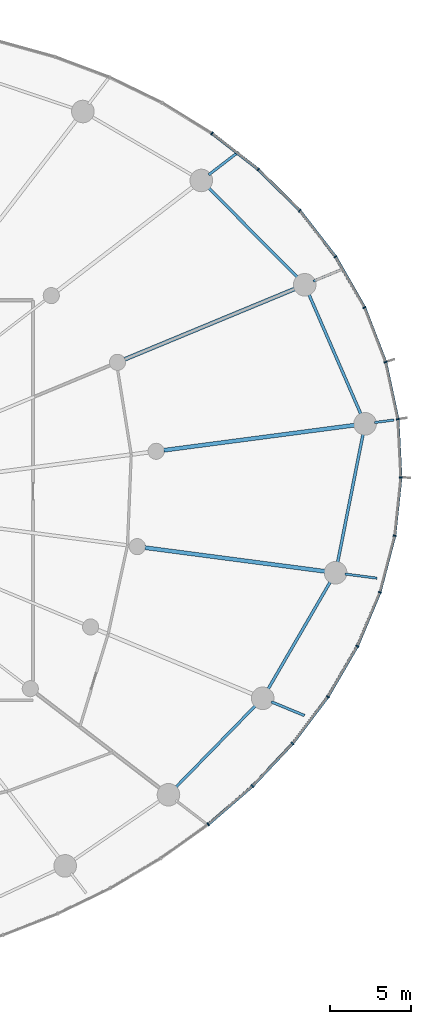
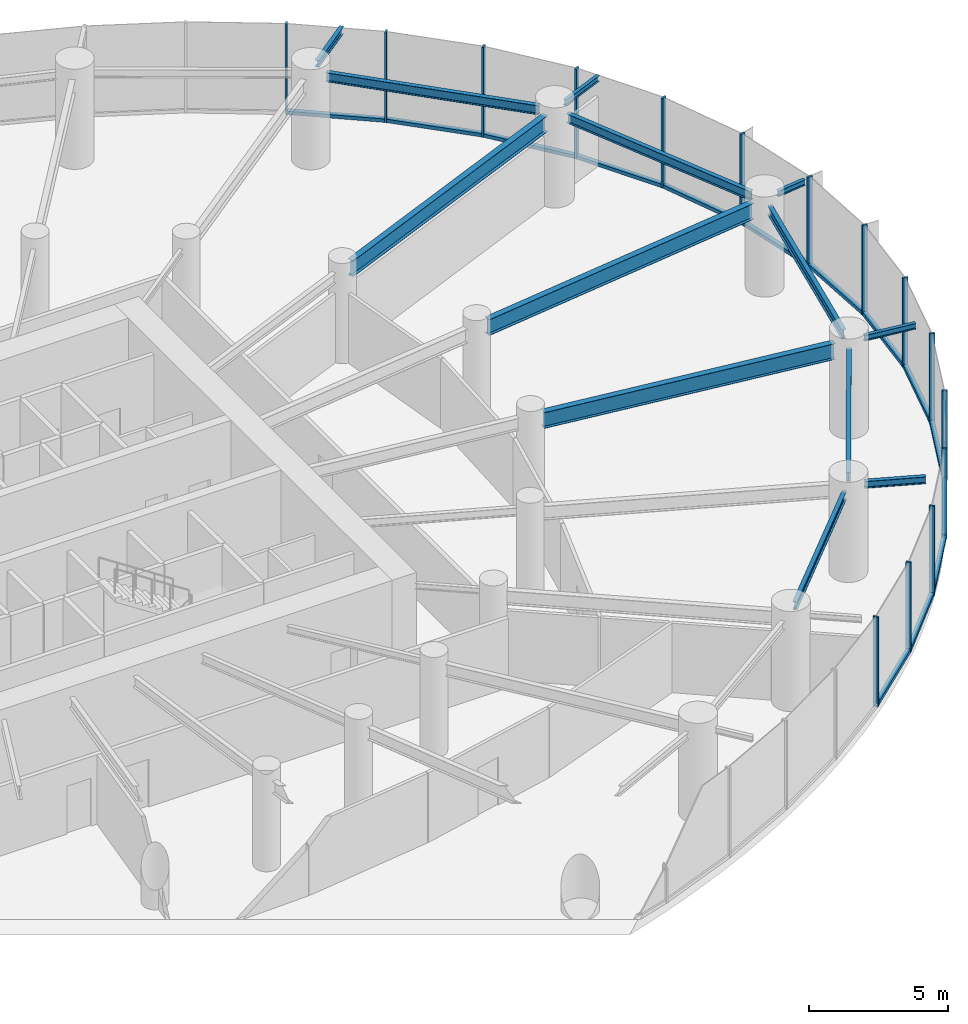
# One storey, part 8 of 18: 29 members, 13 beams, 4 elements without a shape of their own.
"""IFC4 building model written with IfcOpenShell, lengths in metres."""

import ifcopenshell
import ifcopenshell.guid

model = None  # the IFC model being written
_history = None  # IfcOwnerHistory: only IFC2X3 demands one
_inside = {}  # id of a spatial element -> (the spatial element, [elements in it])
_under = {}  # id of a project, library or spatial element -> (it, [spatial elements below it])
_declared = {}  # id of a project -> (the project, [libraries it declares])
_typed = {}  # id of a type object -> (the type object, [elements of that type])
_made_of = {}  # id of a material, layer set ... -> (it, [elements and type objects made of it])


def new_model(schema):
    """Start an empty IFC model of exactly this schema.

    Asked for "IFC4X3", IfcOpenShell would pick the latest addendum, in which some entities
    have other attributes; the version numbers below select the first issue.
    IFC2X3 requires an IfcOwnerHistory on every rooted entity: one is made here for all.
    """
    global model, _history
    if schema == "IFC4X3":
        model = ifcopenshell.file(schema_version=(4, 3, 0, 0))
    else:
        model = ifcopenshell.file(schema=schema)
    _inside.clear()
    _under.clear()
    _declared.clear()
    _typed.clear()
    _made_of.clear()
    _history = None
    if model.schema == "IFC2X3":
        org = make("IfcOrganization", Name="unknown")
        user = make(
            "IfcPersonAndOrganization",
            ThePerson=make("IfcPerson", FamilyName="unknown"),
            TheOrganization=org,
        )
        app = make(
            "IfcApplication",
            ApplicationDeveloper=org,
            Version="unknown",
            ApplicationFullName="unknown",
            ApplicationIdentifier="unknown",
        )
        _history = make(
            "IfcOwnerHistory",
            OwningUser=user,
            OwningApplication=app,
            ChangeAction="ADDED",
            CreationDate=0,
        )
    return model


def make(cls, **values):
    """One entity of the class cls with the attributes given. An attribute that is None is left unset."""
    return model.create_entity(
        cls, **{name: value for name, value in values.items() if value is not None}
    )


def rooted(cls, **values):
    """An entity with a GlobalId (a new one), such as an element, a storey or a relation."""
    return make(cls, GlobalId=ifcopenshell.guid.new(), OwnerHistory=_history, **values)


def si_unit(unit_type, name, prefix=None):
    """IfcSIUnit, for example si_unit("LENGTHUNIT", "METRE", prefix="MILLI")."""
    return make("IfcSIUnit", UnitType=unit_type, Prefix=prefix, Name=name)


def assignment(units):
    """IfcUnitAssignment: the units of a project."""
    return None if units is None else make("IfcUnitAssignment", Units=units)


def point(xyz):
    """IfcCartesianPoint."""
    return None if xyz is None else make("IfcCartesianPoint", Coordinates=xyz)


def direction(xyz):
    """IfcDirection."""
    return None if xyz is None else make("IfcDirection", DirectionRatios=xyz)


def frame(location, z_axis=None, x_axis=None):
    """IfcAxis2Placement3D, a coordinate frame: its origin and axes. An axis left out is left unset."""
    return make(
        "IfcAxis2Placement3D",
        Location=point(location),
        Axis=direction(z_axis),
        RefDirection=direction(x_axis),
    )


def frame_2d(location, x_axis=None):
    """IfcAxis2Placement2D, a coordinate frame in the plane: its origin and x axis."""
    return make(
        "IfcAxis2Placement2D", Location=point(location), RefDirection=direction(x_axis)
    )


def origin():
    """The frame at (0, 0, 0) with its axes left unset."""
    return frame((0.0, 0.0, 0.0))


def origin_2d():
    """The frame at (0, 0) in the plane with its x axis left unset."""
    return frame_2d((0.0, 0.0))


def place(relative_to, where):
    """IfcLocalPlacement: puts the frame where relative to a parent placement (None: the world)."""
    return make(
        "IfcLocalPlacement", PlacementRelTo=relative_to, RelativePlacement=where
    )


def context(
    kind, dimensions, precision=None, world=None, true_north=None, identifier=None
):
    """IfcGeometricRepresentationContext, for example the 3D "Model" context."""
    return make(
        "IfcGeometricRepresentationContext",
        ContextIdentifier=identifier,
        ContextType=kind,
        CoordinateSpaceDimension=dimensions,
        Precision=precision,
        WorldCoordinateSystem=world,
        TrueNorth=true_north,
    )


def subcontext(parent, identifier, kind, view, scale=None):
    """IfcGeometricRepresentationSubContext, for example "Body" below "Model"."""
    return make(
        "IfcGeometricRepresentationSubContext",
        ContextIdentifier=identifier,
        ContextType=kind,
        ParentContext=parent,
        TargetScale=scale,
        TargetView=view,
    )


def project(units=None, contexts=None):
    """IfcProject with its units and contexts."""
    return rooted(
        "IfcProject",
        Name="project",
        RepresentationContexts=contexts,
        UnitsInContext=assignment(units),
    )


def spatial(cls, under=None, at=None, **own):
    """A site, building, storey or space (cls), placed at a placement, below another one or the project."""
    s = rooted(cls, ObjectPlacement=at, **own)
    if under is not None:
        _under.setdefault(under.id(), (under, []))[1].append(s)
    return s


def profile(cls, at=None, kind="AREA", **sizes):
    """A parametric profile (cls). Its sizes go by their IFC names, for example OverallWidth=200.0."""
    return make(cls, ProfileType=kind, Position=at, **sizes)


def rectangle(**sizes):
    """IfcRectangleProfileDef."""
    return profile("IfcRectangleProfileDef", **sizes)


def i_section(**sizes):
    """IfcIShapeProfileDef."""
    return profile("IfcIShapeProfileDef", **sizes)


def extrude(swept, where, along, depth):
    """IfcExtrudedAreaSolid: the profile swept, set in the frame where, extruded along a direction by depth."""
    return make(
        "IfcExtrudedAreaSolid",
        SweptArea=swept,
        Position=where,
        ExtrudedDirection=direction(along),
        Depth=depth,
    )


def shape(context_of_items, identifier, shape_type, items):
    """IfcShapeRepresentation: the items that make up one representation, for example the "Body"."""
    return make(
        "IfcShapeRepresentation",
        ContextOfItems=context_of_items,
        RepresentationIdentifier=identifier,
        RepresentationType=shape_type,
        Items=items,
    )


def source(mapping_origin, context_of_items, identifier, shape_type, items):
    """IfcRepresentationMap: a shape defined once, which mapped items show again and again."""
    return make(
        "IfcRepresentationMap",
        MappingOrigin=mapping_origin,
        MappedRepresentation=shape(context_of_items, identifier, shape_type, items),
    )


def transform(
    local_origin,
    x_axis=None,
    y_axis=None,
    z_axis=None,
    scale=None,
    scale2=None,
    scale3=None,
    uniform=True,
):
    """IfcCartesianTransformationOperator3D, or its non-uniform kind. x_axis, y_axis, z_axis: its Axis1, 2, 3."""
    if uniform:
        return make(
            "IfcCartesianTransformationOperator3D",
            Axis1=direction(x_axis),
            Axis2=direction(y_axis),
            LocalOrigin=point(local_origin),
            Scale=scale,
            Axis3=direction(z_axis),
        )
    return make(
        "IfcCartesianTransformationOperator3DnonUniform",
        Axis1=direction(x_axis),
        Axis2=direction(y_axis),
        LocalOrigin=point(local_origin),
        Scale=scale,
        Axis3=direction(z_axis),
        Scale2=scale2,
        Scale3=scale3,
    )


def mapped(mapping_source, mapping_target):
    """IfcMappedItem: shows the shape of a source again, moved by a transform."""
    return make(
        "IfcMappedItem", MappingSource=mapping_source, MappingTarget=mapping_target
    )


def material(Name=None, Category=None):
    """IfcMaterial."""
    return make("IfcMaterial", Name=Name, Category=Category)


def layer(
    of_material, thickness, ventilated=None, Name=None, Category=None, Priority=None
):
    """IfcMaterialLayer: one layer of a wall or slab, of a material (None: an air gap)."""
    return make(
        "IfcMaterialLayer",
        Material=of_material,
        LayerThickness=thickness,
        IsVentilated=ventilated,
        Name=Name,
        Category=Category,
        Priority=Priority,
    )


def layer_set(layers, Name=None):
    """IfcMaterialLayerSet."""
    return make("IfcMaterialLayerSet", MaterialLayers=layers, LayerSetName=Name)


def material_profile(
    of_material, cross_section, Name=None, Category=None, Priority=None
):
    """IfcMaterialProfile: a cross section and its material."""
    return make(
        "IfcMaterialProfile",
        Name=Name,
        Material=of_material,
        Profile=cross_section,
        Priority=Priority,
        Category=Category,
    )


def profile_set(profiles, Name=None, composite=None):
    """IfcMaterialProfileSet."""
    return make(
        "IfcMaterialProfileSet",
        Name=Name,
        MaterialProfiles=profiles,
        CompositeProfile=composite,
    )


def made_of(thing, what):
    """Note that an element or type object is made of a material, layer set ...; save() writes the relation."""
    if what is not None:
        _made_of.setdefault(what.id(), (what, []))[1].append(thing)
    return thing


def type_object(cls, material=None, **own):
    """A type object (cls), such as IfcWallType, which elements share."""
    return made_of(rooted(cls, **own), material)


def element(
    cls,
    number,
    at=None,
    inside=None,
    cuts=None,
    type_object=None,
    material=None,
    context=None,
    identifier="Body",
    shape_type=None,
    held_by="IfcProductDefinitionShape",
    body=None,
    shapes=None,
    **own,
):
    """One element of the class cls, such as IfcWall. Its Tag is "e" and its number.

    at: its placement. inside: the storey or other place that contains it. cuts: it is an
    opening in that element (IfcRelVoidsElement). A single representation is given by context,
    identifier, shape_type and body (its items); several are given by shapes. held_by: the class
    of the entity that holds the representations. save() writes the other relations.
    """
    e = rooted(cls, Tag="e%d" % number, ObjectPlacement=at, **own)
    if body is not None:
        shapes = [shape(context, identifier, shape_type, body)]
    if shapes is not None:
        e.Representation = make(held_by, Representations=shapes)
    if inside is not None:
        _inside.setdefault(inside.id(), (inside, []))[1].append(e)
    if cuts is not None:
        rooted(
            "IfcRelVoidsElement", RelatingBuildingElement=cuts, RelatedOpeningElement=e
        )
    if type_object is not None:
        _typed.setdefault(type_object.id(), (type_object, []))[1].append(e)
    return made_of(e, material)


def aggregate(whole, parts):
    """IfcRelAggregates: a whole, such as a stair, and the parts it consists of."""
    return rooted("IfcRelAggregates", RelatingObject=whole, RelatedObjects=parts)


def save(model, path):
    """Write the relations noted so far, then the file.

    IfcRelAggregates (storeys below a building ...), IfcRelContainedInSpatialStructure (elements
    in a storey), IfcRelDefinesByType, IfcRelAssociatesMaterial and IfcRelDeclares: one each for
    every whole, place, type object, material and project.
    """
    for whole, parts in _under.values():
        aggregate(whole, parts)
    for where, things in _inside.values():
        rooted(
            "IfcRelContainedInSpatialStructure",
            RelatedElements=things,
            RelatingStructure=where,
        )
    for kind, things in _typed.values():
        rooted("IfcRelDefinesByType", RelatedObjects=things, RelatingType=kind)
    for what, things in _made_of.values():
        rooted("IfcRelAssociatesMaterial", RelatedObjects=things, RelatingMaterial=what)
    for by, libraries in _declared.values():
        rooted("IfcRelDeclares", RelatingContext=by, RelatedDefinitions=libraries)
    model.write(path)


model = new_model("IFC4")

# Units and contexts
model_context = context("Model", 3, precision=1e-05, world=origin(), true_north=direction((0.0, 1.0)))
body_context = subcontext(model_context, "Body", "Model", "MODEL_VIEW")
ifc_project = project(units=[si_unit("LENGTHUNIT", "METRE"), si_unit("AREAUNIT", "SQUARE_METRE"), si_unit("VOLUMEUNIT", "CUBIC_METRE"), si_unit("PLANEANGLEUNIT", "RADIAN"), si_unit("MASSUNIT", "GRAM", prefix="KILO")], contexts=[model_context])

# Site, building, storey
site_placement = place(None, origin())
site = spatial("IfcSite", under=ifc_project, at=site_placement, CompositionType="ELEMENT")
building_placement = place(site_placement, origin())
building = spatial("IfcBuilding", under=site, at=building_placement, Name="Spindrift Exchange Tower", CompositionType="ELEMENT")
storey_placement = place(building_placement, frame((0.0, 0.0, 40.199951171875)))
storey = spatial("IfcBuildingStorey", under=building, at=storey_placement, Name="L09", CompositionType="ELEMENT", Elevation=40.199951171875)

# Beams
ifc_material_1 = material(Name="Steel Grade 300", Category="steel")
ifc_material_profile_1 = material_profile(ifc_material_1, i_section(OverallWidth=0.25, OverallDepth=0.699951171875, WebThickness=0.008056640625, FlangeThickness=0.011962890625, at=origin_2d()), Name="700WB115")
ifc_profile_set_1 = profile_set([ifc_material_profile_1], Name="Steel Grade 300")
beam_type_1 = type_object("IfcBeamType", Name="Floor Beam 700WB115 Steel Grade 300", PredefinedType="BEAM", material=ifc_profile_set_1)
shared_shape_1 = source(origin(), body_context, "Body", "SweptSolid", [
    extrude(i_section(OverallWidth=0.25, OverallDepth=0.699951171875, WebThickness=0.008056640625, FlangeThickness=0.011962890625, at=origin_2d()), origin(), (0.0, 0.0, 1.0), 12.00830078125),
])
beam_1_placement = place(storey_placement, frame((75.509765625, 51.09521484375, 3.60009765625), z_axis=(0.991444950947, 0.130525511844, 0.0), x_axis=(-0.130525511844, 0.991444950947, 0.0)))
element("IfcBeam", 1, at=beam_1_placement, inside=storey, type_object=beam_type_1, Name="L09 radial beam R01B", PredefinedType="BEAM", context=body_context, shape_type="MappedRepresentation", body=[
    mapped(shared_shape_1, transform((0.0, 0.0, 0.0), scale=1.0)),
])
shared_shape_2 = source(origin(), body_context, "Body", "SweptSolid", [
    extrude(i_section(OverallWidth=0.25, OverallDepth=0.699951171875, WebThickness=0.008056640625, FlangeThickness=0.011962890625, at=origin_2d()), origin(), (0.0, 0.0, 1.0), 11.505859375),
])
beam_2_placement = place(storey_placement, frame((73.082763671875, 56.73291015625, 3.60009765625), z_axis=(0.923881578419, 0.38267849307, 0.0), x_axis=(-0.38267849307, 0.923881578419, 0.0)))
element("IfcBeam", 2, at=beam_2_placement, inside=storey, type_object=beam_type_1, Name="L09 radial beam R02B", PredefinedType="BEAM", context=body_context, shape_type="MappedRepresentation", body=[
    mapped(shared_shape_2, transform((0.0, 0.0, 0.0), scale=1.0)),
])
shared_shape_3 = source(origin(), body_context, "Body", "SweptSolid", [
    extrude(i_section(OverallWidth=0.25, OverallDepth=0.699951171875, WebThickness=0.008056640625, FlangeThickness=0.011962890625, at=origin_2d()), origin(), (0.0, 0.0, 1.0), 11.34423828125),
])
beam_3_placement = place(storey_placement, frame((74.339111328125, 45.05908203125, 3.60009765625), z_axis=(0.991444770187, -0.130526884848, 0.0), x_axis=(0.130526884848, 0.991444770187, 0.0)))
element("IfcBeam", 3, at=beam_3_placement, inside=storey, type_object=beam_type_1, Name="L09 radial beam R24B", PredefinedType="BEAM", context=body_context, shape_type="MappedRepresentation", body=[
    mapped(shared_shape_3, transform((0.0, 0.0, 0.0), scale=1.0)),
])
ifc_material_profile_2 = material_profile(ifc_material_1, i_section(OverallWidth=0.177978515625, OverallDepth=0.406005859375, WebThickness=0.0078125, FlangeThickness=0.0126953125, FilletRadius=0.013916015625, at=origin_2d()), Name="410UB59.7")
ifc_profile_set_2 = profile_set([ifc_material_profile_2], Name="Steel Grade 300")
beam_type_2 = type_object("IfcBeamType", Name="Edge Beam 410UB59.7 Steel Grade 300", PredefinedType="SPANDREL", material=ifc_profile_set_2)
shared_shape_4 = source(origin(), body_context, "Body", "SweptSolid", [
    extrude(i_section(OverallWidth=0.177978515625, OverallDepth=0.406005859375, WebThickness=0.0078125, FlangeThickness=0.0126953125, FilletRadius=0.013916015625, at=origin_2d()), origin(), (0.0, 0.0, 1.0), 8.23681640625),
])
beam_4_placement = place(storey_placement, frame((87.759521484375, 53.270263671875, 3.7470703125), z_axis=(-0.398186298756, 0.91730456855, 0.0), x_axis=(-0.91730456855, -0.398186298756, 0.0)))
element("IfcBeam", 4, at=beam_4_placement, inside=storey, type_object=beam_type_2, Name="L09 edge beam E01", PredefinedType="SPANDREL", context=body_context, shape_type="MappedRepresentation", body=[
    mapped(shared_shape_4, transform((0.0, 0.0, 0.0), scale=1.0)),
])
shared_shape_5 = source(origin(), body_context, "Body", "SweptSolid", [
    extrude(i_section(OverallWidth=0.177978515625, OverallDepth=0.406005859375, WebThickness=0.0078125, FlangeThickness=0.0126953125, FilletRadius=0.013916015625, at=origin_2d()), origin(), (0.0, 0.0, 1.0), 7.947509765625),
])
beam_5_placement = place(storey_placement, frame((83.840576171875, 61.769775390625, 3.7470703125), z_axis=(-0.704197895271, 0.710003749494, 0.0), x_axis=(-0.710003749494, -0.704197895271, 0.0)))
element("IfcBeam", 5, at=beam_5_placement, inside=storey, type_object=beam_type_2, Name="L09 edge beam E02", PredefinedType="SPANDREL", context=body_context, shape_type="MappedRepresentation", body=[
    mapped(shared_shape_5, transform((0.0, 0.0, 0.0), scale=1.0)),
])
ifc_material_profile_3 = material_profile(ifc_material_1, i_section(OverallWidth=0.172119140625, OverallDepth=0.35888671875, WebThickness=0.008056640625, FlangeThickness=0.012939453125, FilletRadius=0.013916015625, at=origin_2d()), Name="360UB56.7")
ifc_profile_set_3 = profile_set([ifc_material_profile_3], Name="Steel Grade 300")
beam_type_3 = type_object("IfcBeamType", Name="Edge Beam 360UB56.7 Steel Grade 300", PredefinedType="SPANDREL", material=ifc_profile_set_3)
shared_shape_6 = source(origin(), body_context, "Body", "SweptSolid", [
    extrude(i_section(OverallWidth=0.172119140625, OverallDepth=0.35888671875, WebThickness=0.008056640625, FlangeThickness=0.012939453125, FilletRadius=0.013916015625, at=origin_2d()), origin(), (0.0, 0.0, 1.0), 7.2041015625),
])
beam_6_placement = place(storey_placement, frame((76.205810546875, 30.152099609375, 3.7705078125), z_axis=(0.698703626006, 0.715411240481, 0.0), x_axis=(-0.715411240481, 0.698703626006, 0.0)))
element("IfcBeam", 6, at=beam_6_placement, inside=storey, type_object=beam_type_3, Name="L09 edge beam E22", PredefinedType="SPANDREL", context=body_context, shape_type="MappedRepresentation", body=[
    mapped(shared_shape_6, transform((0.0, 0.0, 0.0), scale=1.0)),
])
shared_shape_7 = source(origin(), body_context, "Body", "SweptSolid", [
    extrude(i_section(OverallWidth=0.177978515625, OverallDepth=0.406005859375, WebThickness=0.0078125, FlangeThickness=0.0126953125, FilletRadius=0.013916015625, at=origin_2d()), origin(), (0.0, 0.0, 1.0), 7.837646484375),
])
beam_7_placement = place(storey_placement, frame((81.935791015625, 36.222412109375, 3.7470703125), z_axis=(0.50198145655, 0.864878382942, 0.0), x_axis=(-0.864878382942, 0.50198145655, 0.0)))
element("IfcBeam", 7, at=beam_7_placement, inside=storey, type_object=beam_type_2, Name="L09 edge beam E23", PredefinedType="SPANDREL", context=body_context, shape_type="MappedRepresentation", body=[
    mapped(shared_shape_7, transform((0.0, 0.0, 0.0), scale=1.0)),
])
shared_shape_8 = source(origin(), body_context, "Body", "SweptSolid", [
    extrude(i_section(OverallWidth=0.177978515625, OverallDepth=0.406005859375, WebThickness=0.0078125, FlangeThickness=0.0126953125, FilletRadius=0.013916015625, at=origin_2d()), origin(), (0.0, 0.0, 1.0), 8.2548828125),
])
beam_8_placement = place(storey_placement, frame((86.27392578125, 44.071533203125, 3.7470703125), z_axis=(0.194278723288, 0.9809463684, 0.0), x_axis=(-0.9809463684, 0.194278723288, 0.0)))
element("IfcBeam", 8, at=beam_8_placement, inside=storey, type_object=beam_type_2, Name="L09 edge beam E24", PredefinedType="SPANDREL", context=body_context, shape_type="MappedRepresentation", body=[
    mapped(shared_shape_8, transform((0.0, 0.0, 0.0), scale=1.0)),
])
ifc_material_profile_4 = material_profile(ifc_material_1, i_section(OverallWidth=0.14599609375, OverallDepth=0.251953125, WebThickness=0.006103515625, FlangeThickness=0.008544921875, FilletRadius=0.011962890625, at=origin_2d()), Name="250UB31.4")
ifc_profile_set_4 = profile_set([ifc_material_profile_4], Name="Steel Grade 300")
beam_type_4 = type_object("IfcBeamType", Name="Cantilever Beam 250UB31.4 Steel Grade 300", PredefinedType="BEAM", material=ifc_profile_set_4)
shared_shape_9 = source(origin(), body_context, "Body", "SweptSolid", [
    extrude(i_section(OverallWidth=0.14599609375, OverallDepth=0.251953125, WebThickness=0.006103515625, FlangeThickness=0.008544921875, FilletRadius=0.011962890625, at=origin_2d()), origin(), (0.0, 0.0, 1.0), 1.224365234375),
])
beam_9_placement = place(storey_placement, frame((88.5654296875, 52.81396484375, 3.823974609375), z_axis=(0.991459724463, 0.130413246138, 0.0), x_axis=(-0.130413246138, 0.991459724463, 0.0)))
element("IfcBeam", 9, at=beam_9_placement, inside=storey, type_object=beam_type_4, Name="L09 cantilever beam R01T", PredefinedType="BEAM", context=body_context, shape_type="MappedRepresentation", body=[
    mapped(shared_shape_9, transform((0.0, 0.0, 0.0), scale=1.0)),
])
shared_shape_10 = source(origin(), body_context, "Body", "SweptSolid", [
    extrude(i_section(OverallWidth=0.14599609375, OverallDepth=0.251953125, WebThickness=0.006103515625, FlangeThickness=0.008544921875, FilletRadius=0.011962890625, at=origin_2d()), origin(), (0.0, 0.0, 1.0), 1.96728515625),
])
beam_10_placement = place(storey_placement, frame((84.78466796875, 61.579833984375, 3.823974609375), z_axis=(0.923871633856, 0.382702500848, 0.0), x_axis=(-0.382702500848, 0.923871633856, 0.0)))
element("IfcBeam", 10, at=beam_10_placement, inside=storey, type_object=beam_type_4, Name="L09 cantilever beam R02T", PredefinedType="BEAM", context=body_context, shape_type="MappedRepresentation", body=[
    mapped(shared_shape_10, transform((0.0, 0.0, 0.0), scale=1.0)),
])
ifc_material_profile_5 = material_profile(ifc_material_1, i_section(OverallWidth=0.1650390625, OverallDepth=0.303955078125, WebThickness=0.006103515625, FlangeThickness=0.01025390625, FilletRadius=0.011474609375, at=origin_2d()), Name="310UB40.4")
ifc_profile_set_5 = profile_set([ifc_material_profile_5], Name="Steel Grade 300")
beam_type_5 = type_object("IfcBeamType", Name="Cantilever Beam 310UB40.4 Steel Grade 300", PredefinedType="BEAM", material=ifc_profile_set_5)
shared_shape_11 = source(origin(), body_context, "Body", "SweptSolid", [
    extrude(i_section(OverallWidth=0.1650390625, OverallDepth=0.303955078125, WebThickness=0.006103515625, FlangeThickness=0.01025390625, FilletRadius=0.011474609375, at=origin_2d()), origin(), (0.0, 0.0, 1.0), 2.33251953125),
])
beam_11_placement = place(storey_placement, frame((78.295654296875, 68.177490234375, 3.798095703125), z_axis=(0.793370454613, 0.608739124542, 0.0), x_axis=(-0.608739124542, 0.793370454613, 0.0)))
element("IfcBeam", 11, at=beam_11_placement, inside=storey, type_object=beam_type_5, Name="L09 cantilever beam R03T", PredefinedType="BEAM", context=body_context, shape_type="MappedRepresentation", body=[
    mapped(shared_shape_11, transform((0.0, 0.0, 0.0), scale=1.0)),
])
shared_shape_12 = source(origin(), body_context, "Body", "SweptSolid", [
    extrude(i_section(OverallWidth=0.1650390625, OverallDepth=0.303955078125, WebThickness=0.006103515625, FlangeThickness=0.01025390625, FilletRadius=0.011474609375, at=origin_2d()), origin(), (0.0, 0.0, 1.0), 2.22412109375),
])
beam_12_placement = place(storey_placement, frame((82.180419921875, 35.498779296875, 3.798095703125), z_axis=(0.923896434598, -0.38264262457, 0.0), x_axis=(0.38264262457, 0.923896434598, 0.0)))
element("IfcBeam", 12, at=beam_12_placement, inside=storey, type_object=beam_type_5, Name="L09 cantilever beam R23T", PredefinedType="BEAM", context=body_context, shape_type="MappedRepresentation", body=[
    mapped(shared_shape_12, transform((0.0, 0.0, 0.0), scale=1.0)),
])
shared_shape_13 = source(origin(), body_context, "Body", "SweptSolid", [
    extrude(i_section(OverallWidth=0.14599609375, OverallDepth=0.251953125, WebThickness=0.006103515625, FlangeThickness=0.008544921875, FilletRadius=0.011962890625, at=origin_2d()), origin(), (0.0, 0.0, 1.0), 2.016845703125),
])
beam_13_placement = place(storey_placement, frame((86.736083984375, 43.427001953125, 3.823974609375), z_axis=(0.991448526078, -0.130498353005, 0.0), x_axis=(0.130498353005, 0.991448526078, 0.0)))
element("IfcBeam", 13, at=beam_13_placement, inside=storey, type_object=beam_type_4, Name="L09 cantilever beam R24T", PredefinedType="BEAM", context=body_context, shape_type="MappedRepresentation", body=[
    mapped(shared_shape_13, transform((0.0, 0.0, 0.0), scale=1.0)),
])

# Curtain wall, members
ifc_material_2 = material(Name="Fritted laminated glass with bronze frame", Category="glass")
ifc_layer = layer(ifc_material_2, 0.199951171875)
ifc_layer_set = layer_set([ifc_layer], Name="ZONE 1 BRONZE FRITTED WALL")
curtain_wall_type = type_object("IfcCurtainWallType", Name="ZONE 1 BRONZE FRITTED WALL", PredefinedType="NOTDEFINED", material=ifc_layer_set)
curtain_wall_1_placement = place(storey_placement, origin())
curtain_wall_1 = element("IfcCurtainWall", 14, at=curtain_wall_1_placement, inside=storey, type_object=curtain_wall_type, Name="L09 Zone 1 Bronze Fritted Wall run 1", PredefinedType="NOTDEFINED")
ifc_material_3 = material(Name="Bronze anodised aluminium", Category="aluminium")
ifc_material_profile_6 = material_profile(ifc_material_3, rectangle(XDim=0.080078125, YDim=0.199951171875, at=origin_2d()), Name="ZONE 1 BRONZE FRITTED WALL MULLION 80X200")
ifc_profile_set_6 = profile_set([ifc_material_profile_6], Name="Bronze anodised aluminium")
member_type_1 = type_object("IfcMemberType", Name="ZONE 1 BRONZE FRITTED WALL MULLION 80X200", PredefinedType="MULLION", material=ifc_profile_set_6)
shared_shape_14 = source(origin(), body_context, "Body", "SweptSolid", [
    extrude(rectangle(XDim=0.080078125, YDim=0.199951171875, at=origin_2d()), origin(), (0.0, 0.0, 1.0), 3.949951171875),
])
member_1_placement = place(storey_placement, frame((90.019775390625, 53.021484375, 0.0), z_axis=(0.0, 0.0, 1.0), x_axis=(-0.1309470397, 0.991389364878, 0.0)))
member_1 = element("IfcMember", 15, at=member_1_placement, type_object=member_type_1, Name="L09 mullion CW-1.1", PredefinedType="MULLION", context=body_context, shape_type="MappedRepresentation", body=[
    mapped(shared_shape_14, transform((0.0, 0.0, 0.0), scale=1.0)),
])
member_2_placement = place(storey_placement, frame((89.260498046875, 56.565673828125, 0.0), z_axis=(0.0, 0.0, 1.0), x_axis=(-0.285567534587, 0.958358587998, 0.0)))
member_2 = element("IfcMember", 16, at=member_2_placement, type_object=member_type_1, Name="L09 mullion CW-1.2", PredefinedType="MULLION", context=body_context, shape_type="MappedRepresentation", body=[
    mapped(shared_shape_14, transform((0.0, 0.0, 0.0), scale=1.0)),
])
member_3_placement = place(storey_placement, frame((87.9560546875, 59.947265625, 0.0), z_axis=(0.0, 0.0, 1.0), x_axis=(-0.428956948446, 0.903324933997, 0.0)))
member_3 = element("IfcMember", 17, at=member_3_placement, type_object=member_type_1, Name="L09 mullion CW-1.3", PredefinedType="MULLION", context=body_context, shape_type="MappedRepresentation", body=[
    mapped(shared_shape_14, transform((0.0, 0.0, 0.0), scale=1.0)),
])
member_4_placement = place(storey_placement, frame((86.159423828125, 63.095703125, 0.0), z_axis=(0.0, 0.0, 1.0), x_axis=(-0.555536044659, 0.831492455218, 0.0)))
member_4 = element("IfcMember", 18, at=member_4_placement, type_object=member_type_1, Name="L09 mullion CW-1.4", PredefinedType="MULLION", context=body_context, shape_type="MappedRepresentation", body=[
    mapped(shared_shape_14, transform((0.0, 0.0, 0.0), scale=1.0)),
])
member_5_placement = place(storey_placement, frame((83.938232421875, 65.9609375, 0.0), z_axis=(0.0, 0.0, 1.0), x_axis=(-0.662801545869, 0.748795106016, 0.0)))
member_5 = element("IfcMember", 19, at=member_5_placement, type_object=member_type_1, Name="L09 mullion CW-1.5", PredefinedType="MULLION", context=body_context, shape_type="MappedRepresentation", body=[
    mapped(shared_shape_14, transform((0.0, 0.0, 0.0), scale=1.0)),
])
member_6_placement = place(storey_placement, frame((81.363525390625, 68.513916015625, 0.0), z_axis=(0.0, 0.0, 1.0), x_axis=(-0.750811702285, 0.660516303896, 0.0)))
member_6 = element("IfcMember", 20, at=member_6_placement, type_object=member_type_1, Name="L09 mullion CW-1.6", PredefinedType="MULLION", context=body_context, shape_type="MappedRepresentation", body=[
    mapped(shared_shape_14, transform((0.0, 0.0, 0.0), scale=1.0)),
])

# Curtain wall, member
curtain_wall_2_placement = place(storey_placement, origin())
curtain_wall_2 = element("IfcCurtainWall", 21, at=curtain_wall_2_placement, inside=storey, type_object=curtain_wall_type, Name="L09 Zone 1 Bronze Fritted Wall run 2", PredefinedType="NOTDEFINED")
member_7_placement = place(storey_placement, frame((78.5029296875, 70.74267578125, 0.0), z_axis=(0.0, 0.0, 1.0), x_axis=(-0.821298602137, 0.570498559269, 0.0)))
member_7 = element("IfcMember", 22, at=member_7_placement, type_object=member_type_1, Name="L09 mullion CW-1.7", PredefinedType="MULLION", context=body_context, shape_type="MappedRepresentation", body=[
    mapped(shared_shape_14, transform((0.0, 0.0, 0.0), scale=1.0)),
])
aggregate(curtain_wall_2, [member_7])

# Curtain wall, members
curtain_wall_3_placement = place(storey_placement, origin())
curtain_wall_3 = element("IfcCurtainWall", 23, at=curtain_wall_3_placement, inside=storey, type_object=curtain_wall_type, Name="L09 Zone 1 Bronze Fritted Wall run 9", PredefinedType="NOTDEFINED")
member_8_placement = place(storey_placement, frame((78.271240234375, 27.903076171875, 0.0), z_axis=(0.0, 0.0, 1.0), x_axis=(0.785264357526, 0.619160632469, 0.0)))
member_8 = element("IfcMember", 24, at=member_8_placement, type_object=member_type_1, Name="L09 mullion CW-1.52", PredefinedType="MULLION", context=body_context, shape_type="MappedRepresentation", body=[
    mapped(shared_shape_14, transform((0.0, 0.0, 0.0), scale=1.0)),
])
member_9_placement = place(storey_placement, frame((81.011474609375, 30.279052734375, 0.0), z_axis=(0.0, 0.0, 1.0), x_axis=(0.721593417997, 0.692317079887, 0.0)))
member_9 = element("IfcMember", 25, at=member_9_placement, type_object=member_type_1, Name="L09 mullion CW-1.53", PredefinedType="MULLION", context=body_context, shape_type="MappedRepresentation", body=[
    mapped(shared_shape_14, transform((0.0, 0.0, 0.0), scale=1.0)),
])
member_10_placement = place(storey_placement, frame((83.49853515625, 32.918212890625, 0.0), z_axis=(0.0, 0.0, 1.0), x_axis=(0.64502172874, 0.764164229373, 0.0)))
member_10 = element("IfcMember", 26, at=member_10_placement, type_object=member_type_1, Name="L09 mullion CW-1.54", PredefinedType="MULLION", context=body_context, shape_type="MappedRepresentation", body=[
    mapped(shared_shape_14, transform((0.0, 0.0, 0.0), scale=1.0)),
])

curtain_wall_4_placement = place(storey_placement, origin())
curtain_wall_4 = element("IfcCurtainWall", 27, at=curtain_wall_4_placement, inside=storey, type_object=curtain_wall_type, Name="L09 Zone 1 Bronze Fritted Wall run 10", PredefinedType="NOTDEFINED")
member_11_placement = place(storey_placement, frame((85.6826171875, 35.81298828125, 0.0), z_axis=(0.0, 0.0, 1.0), x_axis=(0.553578317079, 0.832797122269, 0.0)))
member_11 = element("IfcMember", 28, at=member_11_placement, type_object=member_type_1, Name="L09 mullion CW-1.55", PredefinedType="MULLION", context=body_context, shape_type="MappedRepresentation", body=[
    mapped(shared_shape_14, transform((0.0, 0.0, 0.0), scale=1.0)),
])
member_12_placement = place(storey_placement, frame((87.506103515625, 38.947021484375, 0.0), z_axis=(0.0, 0.0, 1.0), x_axis=(0.44565610101, 0.895204244646, 0.0)))
member_12 = element("IfcMember", 29, at=member_12_placement, type_object=member_type_1, Name="L09 mullion CW-1.56", PredefinedType="MULLION", context=body_context, shape_type="MappedRepresentation", body=[
    mapped(shared_shape_14, transform((0.0, 0.0, 0.0), scale=1.0)),
])
member_13_placement = place(storey_placement, frame((88.907470703125, 42.290771484375, 0.0), z_axis=(0.0, 0.0, 1.0), x_axis=(0.320620753014, 0.947207650273, 0.0)))
member_13 = element("IfcMember", 30, at=member_13_placement, type_object=member_type_1, Name="L09 mullion CW-1.57", PredefinedType="MULLION", context=body_context, shape_type="MappedRepresentation", body=[
    mapped(shared_shape_14, transform((0.0, 0.0, 0.0), scale=1.0)),
])
member_14_placement = place(storey_placement, frame((89.824951171875, 45.797607421875, 0.0), z_axis=(0.0, 0.0, 1.0), x_axis=(0.179729689636, 0.983716035583, 0.0)))
member_14 = element("IfcMember", 31, at=member_14_placement, type_object=member_type_1, Name="L09 mullion CW-1.58", PredefinedType="MULLION", context=body_context, shape_type="MappedRepresentation", body=[
    mapped(shared_shape_14, transform((0.0, 0.0, 0.0), scale=1.0)),
])
member_15_placement = place(storey_placement, frame((90.206787109375, 49.402099609375, 0.0), z_axis=(0.0, 0.0, 1.0), x_axis=(0.026954436175, 0.999636663178, 0.0)))
member_15 = element("IfcMember", 32, at=member_15_placement, type_object=member_type_1, Name="L09 mullion CW-1.59", PredefinedType="MULLION", context=body_context, shape_type="MappedRepresentation", body=[
    mapped(shared_shape_14, transform((0.0, 0.0, 0.0), scale=1.0)),
])

# Member
ifc_material_profile_7 = material_profile(ifc_material_3, rectangle(XDim=0.179931640625, YDim=0.14990234375, at=origin_2d()), Name="ZONE 1 BRONZE FRITTED WALL TRANSOM 180X150")
ifc_profile_set_7 = profile_set([ifc_material_profile_7], Name="Bronze anodised aluminium")
member_type_2 = type_object("IfcMemberType", Name="ZONE 1 BRONZE FRITTED WALL TRANSOM 180X150", PredefinedType="USERDEFINED", material=ifc_profile_set_7)
shared_shape_15 = source(origin(), body_context, "Body", "SweptSolid", [
    extrude(rectangle(XDim=0.179931640625, YDim=0.14990234375, at=origin_2d()), origin(), (0.0, 0.0, 1.0), 3.54443359375),
])
member_16_placement = place(storey_placement, frame((89.24609375, 56.60302734375, 0.074951171875), z_axis=(-0.359902048125, 0.932990094136, 0.0), x_axis=(-0.932990094136, -0.359902048125, 0.0)))
member_16 = element("IfcMember", 33, at=member_16_placement, type_object=member_type_2, Name="L09 transom CW-1.2", ObjectType="TRANSOM", PredefinedType="USERDEFINED", context=body_context, shape_type="MappedRepresentation", body=[
    mapped(shared_shape_15, transform((0.0, 0.0, 0.0), scale=1.0)),
])

member_17_placement = place(storey_placement, frame((90.20458984375, 49.44189453125, 0.074951171875), z_axis=(-0.05152124837, 0.998671898556, 0.0), x_axis=(-0.998671898556, -0.05152124837, 0.0)))
member_17 = element("IfcMember", 34, at=member_17_placement, type_object=member_type_2, Name="L09 transom CW-1.59", ObjectType="TRANSOM", PredefinedType="USERDEFINED", context=body_context, shape_type="MappedRepresentation", body=[
    mapped(shared_shape_15, transform((0.0, 0.0, 0.0), scale=1.0)),
])

shared_shape_16 = source(origin(), body_context, "Body", "SweptSolid", [
    extrude(rectangle(XDim=0.179931640625, YDim=0.14990234375, at=origin_2d()), origin(), (0.0, 0.0, 1.0), 3.544921875),
])
member_18_placement = place(storey_placement, frame((88.91748046875, 42.329345703125, 0.074951171875), z_axis=(0.253167572759, 0.967422441389, 0.0), x_axis=(-0.967422441389, 0.253167572759, 0.0)))
member_18 = element("IfcMember", 35, at=member_18_placement, type_object=member_type_2, Name="L09 transom CW-1.57", ObjectType="TRANSOM", PredefinedType="USERDEFINED", context=body_context, shape_type="MappedRepresentation", body=[
    mapped(shared_shape_16, transform((0.0, 0.0, 0.0), scale=1.0)),
])

shared_shape_17 = source(origin(), body_context, "Body", "SweptSolid", [
    extrude(rectangle(XDim=0.179931640625, YDim=0.14990234375, at=origin_2d()), origin(), (0.0, 0.0, 1.0), 3.545654296875),
])
member_19_placement = place(storey_placement, frame((87.521484375, 38.98388671875, 0.074951171875), z_axis=(0.386501869698, 0.922288623328, 0.0), x_axis=(-0.922288623328, 0.386501869698, 0.0)))
member_19 = element("IfcMember", 36, at=member_19_placement, type_object=member_type_2, Name="L09 transom CW-1.56", ObjectType="TRANSOM", PredefinedType="USERDEFINED", context=body_context, shape_type="MappedRepresentation", body=[
    mapped(shared_shape_17, transform((0.0, 0.0, 0.0), scale=1.0)),
])

shared_shape_18 = source(origin(), body_context, "Body", "SweptSolid", [
    extrude(rectangle(XDim=0.179931640625, YDim=0.14990234375, at=origin_2d()), origin(), (0.0, 0.0, 1.0), 3.546142578125),
])
member_20_placement = place(storey_placement, frame((83.522705078125, 32.9501953125, 0.074951171875), z_axis=(0.602277791432, 0.798286578835, 0.0), x_axis=(-0.798286578835, 0.602277791432, 0.0)))
member_20 = element("IfcMember", 37, at=member_20_placement, type_object=member_type_2, Name="L09 transom CW-1.54", ObjectType="TRANSOM", PredefinedType="USERDEFINED", context=body_context, shape_type="MappedRepresentation", body=[
    mapped(shared_shape_18, transform((0.0, 0.0, 0.0), scale=1.0)),
])

shared_shape_19 = source(origin(), body_context, "Body", "SweptSolid", [
    extrude(rectangle(XDim=0.179931640625, YDim=0.14990234375, at=origin_2d()), origin(), (0.0, 0.0, 1.0), 3.54638671875),
])
member_21_placement = place(storey_placement, frame((81.33203125, 68.53857421875, 0.074951171875), z_axis=(-0.788870074349, 0.614560009923, 0.0), x_axis=(-0.614560009923, -0.788870074349, 0.0)))
member_21 = element("IfcMember", 38, at=member_21_placement, type_object=member_type_2, Name="L09 transom CW-1.6", ObjectType="TRANSOM", PredefinedType="USERDEFINED", context=body_context, shape_type="MappedRepresentation", body=[
    mapped(shared_shape_19, transform((0.0, 0.0, 0.0), scale=1.0)),
])

shared_shape_20 = source(origin(), body_context, "Body", "SweptSolid", [
    extrude(rectangle(XDim=0.179931640625, YDim=0.14990234375, at=origin_2d()), origin(), (0.0, 0.0, 1.0), 3.545166015625),
])
member_22_placement = place(storey_placement, frame((87.936279296875, 59.98193359375, 0.074951171875), z_axis=(-0.495575174524, 0.868565050181, 0.0), x_axis=(-0.868565050181, -0.495575174524, 0.0)))
member_22 = element("IfcMember", 39, at=member_22_placement, type_object=member_type_2, Name="L09 transom CW-1.3", ObjectType="TRANSOM", PredefinedType="USERDEFINED", context=body_context, shape_type="MappedRepresentation", body=[
    mapped(shared_shape_20, transform((0.0, 0.0, 0.0), scale=1.0)),
])

shared_shape_21 = source(origin(), body_context, "Body", "SweptSolid", [
    extrude(rectangle(XDim=0.179931640625, YDim=0.14990234375, at=origin_2d()), origin(), (0.0, 0.0, 1.0), 3.546630859375),
])
member_23_placement = place(storey_placement, frame((78.301513671875, 27.92919921875, 0.074951171875), z_axis=(0.755536890826, 0.655106103315, 0.0), x_axis=(-0.655106103315, 0.755536890826, 0.0)))
member_23 = element("IfcMember", 40, at=member_23_placement, type_object=member_type_2, Name="L09 transom CW-1.52", ObjectType="TRANSOM", PredefinedType="USERDEFINED", context=body_context, shape_type="MappedRepresentation", body=[
    mapped(shared_shape_21, transform((0.0, 0.0, 0.0), scale=1.0)),
])

member_24_placement = place(storey_placement, frame((81.038818359375, 30.30810546875, 0.074951171875), z_axis=(0.685834802982, 0.727757255559, 0.0), x_axis=(-0.727757255559, 0.685834802982, 0.0)))
member_24 = element("IfcMember", 41, at=member_24_placement, type_object=member_type_2, Name="L09 transom CW-1.53", ObjectType="TRANSOM", PredefinedType="USERDEFINED", context=body_context, shape_type="MappedRepresentation", body=[
    mapped(shared_shape_21, transform((0.0, 0.0, 0.0), scale=1.0)),
])

aggregate(curtain_wall_3, [member_8, member_23, member_9, member_24, member_10, member_20])

shared_shape_22 = source(origin(), body_context, "Body", "SweptSolid", [
    extrude(rectangle(XDim=0.179931640625, YDim=0.14990234375, at=origin_2d()), origin(), (0.0, 0.0, 1.0), 3.5458984375),
])
member_25_placement = place(storey_placement, frame((83.909912109375, 65.9892578125, 0.074951171875), z_axis=(-0.710129737888, 0.704070845418, 0.0), x_axis=(-0.704070845418, -0.710129737888, 0.0)))
member_25 = element("IfcMember", 42, at=member_25_placement, type_object=member_type_2, Name="L09 transom CW-1.5", ObjectType="TRANSOM", PredefinedType="USERDEFINED", context=body_context, shape_type="MappedRepresentation", body=[
    mapped(shared_shape_22, transform((0.0, 0.0, 0.0), scale=1.0)),
])

member_26_placement = place(storey_placement, frame((85.70263671875, 35.84765625, 0.074951171875), z_axis=(0.502967462384, 0.864305346381, 0.0), x_axis=(-0.864305346381, 0.502967462384, 0.0)))
member_26 = element("IfcMember", 43, at=member_26_placement, type_object=member_type_2, Name="L09 transom CW-1.55", ObjectType="TRANSOM", PredefinedType="USERDEFINED", context=body_context, shape_type="MappedRepresentation", body=[
    mapped(shared_shape_22, transform((0.0, 0.0, 0.0), scale=1.0)),
])

shared_shape_23 = source(origin(), body_context, "Body", "SweptSolid", [
    extrude(rectangle(XDim=0.179931640625, YDim=0.14990234375, at=origin_2d()), origin(), (0.0, 0.0, 1.0), 3.544189453125),
])
member_27_placement = place(storey_placement, frame((90.011474609375, 53.060791015625, 0.074951171875), z_axis=(-0.209543201399, 0.977799389828, 0.0), x_axis=(-0.977799389828, -0.209543201399, 0.0)))
member_27 = element("IfcMember", 44, at=member_27_placement, type_object=member_type_2, Name="L09 transom CW-1.1", ObjectType="TRANSOM", PredefinedType="USERDEFINED", context=body_context, shape_type="MappedRepresentation", body=[
    mapped(shared_shape_23, transform((0.0, 0.0, 0.0), scale=1.0)),
])

shared_shape_24 = source(origin(), body_context, "Body", "SweptSolid", [
    extrude(rectangle(XDim=0.179931640625, YDim=0.14990234375, at=origin_2d()), origin(), (0.0, 0.0, 1.0), 3.544677734375),
])
member_28_placement = place(storey_placement, frame((89.8291015625, 45.83740234375, 0.074951171875), z_axis=(0.105312200484, 0.994439209016, 0.0), x_axis=(-0.994439209016, 0.105312200484, 0.0)))
member_28 = element("IfcMember", 45, at=member_28_placement, type_object=member_type_2, Name="L09 transom CW-1.58", ObjectType="TRANSOM", PredefinedType="USERDEFINED", context=body_context, shape_type="MappedRepresentation", body=[
    mapped(shared_shape_24, transform((0.0, 0.0, 0.0), scale=1.0)),
])

aggregate(curtain_wall_4, [member_11, member_26, member_12, member_19, member_13, member_18, member_14, member_28, member_15, member_17])

shared_shape_25 = source(origin(), body_context, "Body", "SweptSolid", [
    extrude(rectangle(XDim=0.179931640625, YDim=0.14990234375, at=origin_2d()), origin(), (0.0, 0.0, 1.0), 3.54541015625),
])
member_29_placement = place(storey_placement, frame((86.135009765625, 63.12744140625, 0.074951171875), z_axis=(-0.612714698847, 0.790304180564, 0.0), x_axis=(-0.790304180564, -0.612714698847, 0.0)))
member_29 = element("IfcMember", 46, at=member_29_placement, type_object=member_type_2, Name="L09 transom CW-1.4", ObjectType="TRANSOM", PredefinedType="USERDEFINED", context=body_context, shape_type="MappedRepresentation", body=[
    mapped(shared_shape_25, transform((0.0, 0.0, 0.0), scale=1.0)),
])

aggregate(curtain_wall_1, [member_1, member_27, member_2, member_16, member_3, member_22, member_4, member_29, member_5, member_25, member_6, member_21])

save(model, "model.ifc")
